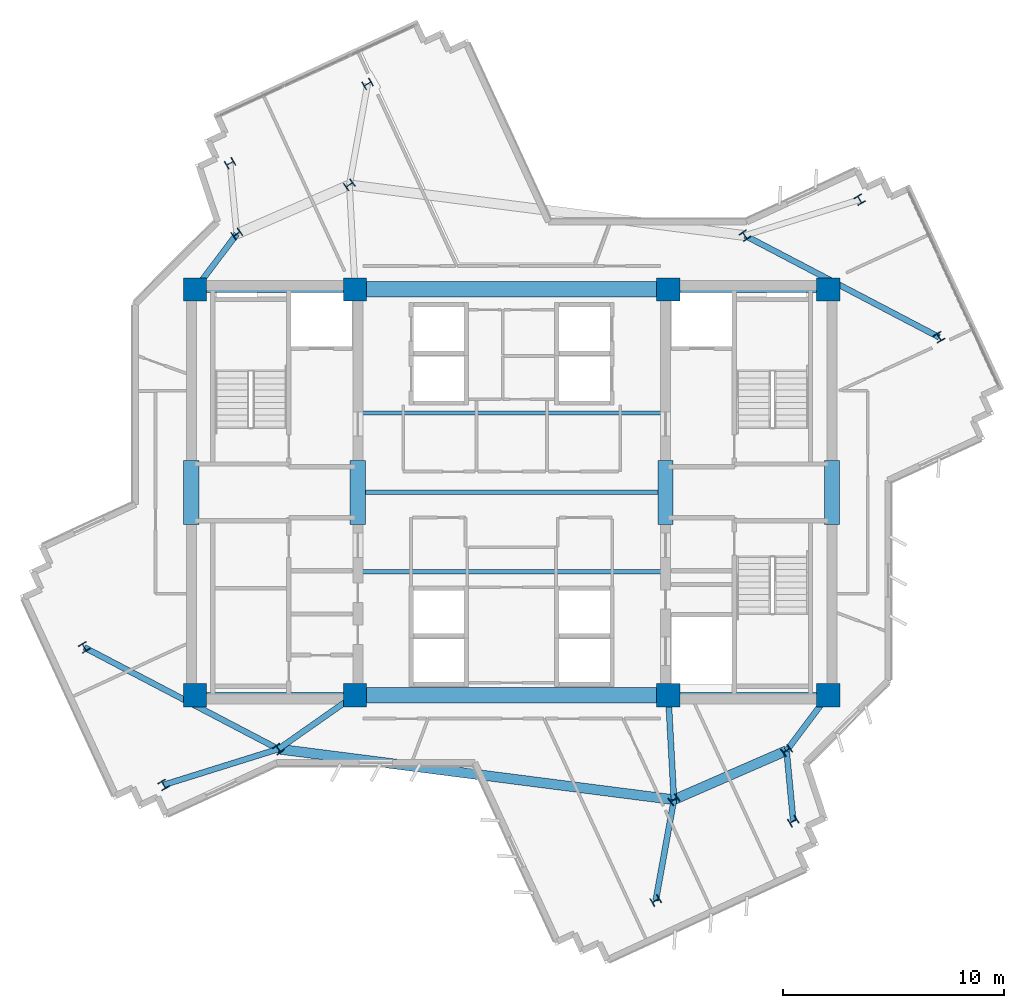
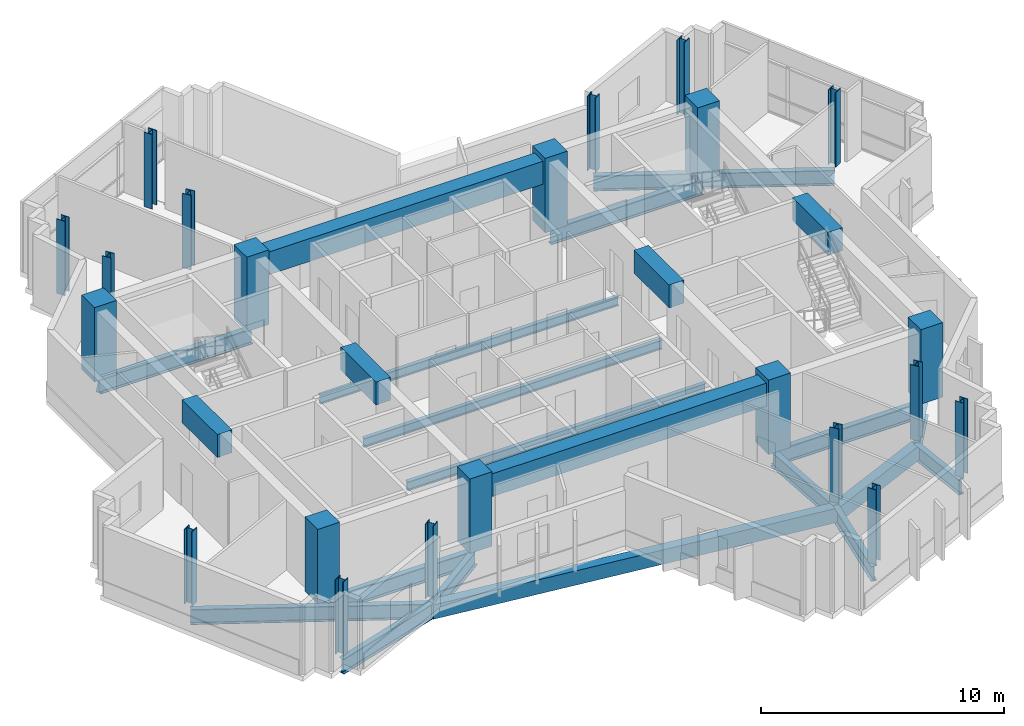
# One storey, part 1 of 12: 24 beams, 22 columns.
"""IFC4 building model written with IfcOpenShell, lengths in metres."""

from ifc_helpers import new_model, si_unit, direction, frame, origin, origin_2d, place, context, subcontext, project, spatial, rectangle, i_section, extrude, source, transform, mapped, material, material_profile, profile_set, type_object, element, save


model = new_model("IFC4")

# Units and contexts
model_context = context("Model", 3, precision=1e-05, world=origin(), true_north=direction((0.0, 1.0)))
body_context = subcontext(model_context, "Body", "Model", "MODEL_VIEW")
ifc_project = project(units=[si_unit("LENGTHUNIT", "METRE"), si_unit("AREAUNIT", "SQUARE_METRE"), si_unit("VOLUMEUNIT", "CUBIC_METRE"), si_unit("PLANEANGLEUNIT", "RADIAN"), si_unit("MASSUNIT", "GRAM", prefix="KILO")], contexts=[model_context])

# Site, building, storey
site_placement = place(None, origin())
site = spatial("IfcSite", under=ifc_project, at=site_placement, CompositionType="ELEMENT")
building_placement = place(site_placement, origin())
building = spatial("IfcBuilding", under=site, at=building_placement, Name="Zahravan Cultural Tower", CompositionType="ELEMENT")
storey_placement = place(building_placement, frame((0.0, 0.0, 239.10009765625)))
storey = spatial("IfcBuildingStorey", under=building, at=storey_placement, Name="L56", CompositionType="ELEMENT", Elevation=239.10009765625)

# Columns
ifc_material_1 = material(Name="Concrete C50/60", Category="concrete")
ifc_material_profile_1 = material_profile(ifc_material_1, rectangle(XDim=1.050048828125, YDim=1.050048828125, at=origin_2d()), Name="RC1050X1050")
ifc_profile_set_1 = profile_set([ifc_material_profile_1], Name="Concrete C50/60")
column_type_1 = type_object("IfcColumnType", Name="COL-RC1050", PredefinedType="COLUMN", material=ifc_profile_set_1)
shared_shape_1 = source(origin(), body_context, "Body", "SweptSolid", [
    extrude(rectangle(XDim=1.050048828125, YDim=1.050048828125, at=origin_2d()), origin(), (0.0, 0.0, 1.0), 3.75),
])
for number, where, z_axis, x_axis, name in (
    (1, (21.64990234375, 17.800048828125, 0.0), (0.0, 0.0, 1.0), (1.0, 0.0, 0.0), "L56 Column CC-W1"),
    (2, (28.89990234375, 17.800048828125, 0.0), (0.0, 0.0, 1.0), (1.0, 0.0, 0.0), "L56 Column CC-W2"),
    (3, (21.64990234375, 36.199951171875, 0.0), (0.0, 0.0, 1.0), (1.0, 0.0, 0.0), "L56 Column CC-W3"),
    (4, (28.89990234375, 36.199951171875, 0.0), (0.0, 0.0, 1.0), (1.0, 0.0, 0.0), "L56 Column CC-W4"),
    (5, (43.10009765625, 17.800048828125, 0.0), (0.0, 0.0, 1.0), (1.0, 0.0, 0.0), "L56 Column CC-E1"),
    (6, (50.35009765625, 17.800048828125, 0.0), (0.0, 0.0, 1.0), (1.0, 0.0, 0.0), "L56 Column CC-E2"),
    (7, (43.10009765625, 36.199951171875, 0.0), (0.0, 0.0, 1.0), (1.0, 0.0, 0.0), "L56 Column CC-E3"),
    (8, (50.35009765625, 36.199951171875, 0.0), (0.0, 0.0, 1.0), (1.0, 0.0, 0.0), "L56 Column CC-E4"),
):
    element("IfcColumn", number, at=place(storey_placement, frame(where, z_axis=z_axis, x_axis=x_axis)), inside=storey, type_object=column_type_1, Name=name, PredefinedType="COLUMN", context=body_context, shape_type="MappedRepresentation", body=[
        mapped(shared_shape_1, transform((0.0, 0.0, 0.0), x_axis=(1.0, 0.0, 0.0), y_axis=(0.0, 1.0, 0.0), z_axis=(0.0, 0.0, 1.0), scale=1.0)),
    ])
ifc_material_2 = material(Name="Steel ASTM A992 Grade 50", Category="steel")
ifc_material_profile_2 = material_profile(ifc_material_2, i_section(OverallWidth=0.39892578125, OverallDepth=0.385986328125, WebThickness=0.02099609375, FlangeThickness=0.033203125, FilletRadius=0.01806640625, at=origin_2d()), Name="W14X176")
ifc_profile_set_2 = profile_set([ifc_material_profile_2], Name="Steel ASTM A992 Grade 50")
column_type_2 = type_object("IfcColumnType", Name="COL-W14X176", PredefinedType="COLUMN", material=ifc_profile_set_2)
shared_shape_2 = source(origin(), body_context, "Body", "SweptSolid", [
    extrude(i_section(OverallWidth=0.39892578125, OverallDepth=0.385986328125, WebThickness=0.02099609375, FlangeThickness=0.033203125, FilletRadius=0.01806640625, at=origin_2d()), origin(), (0.0, 0.0, 1.0), 3.75),
])
for number, where, z_axis, x_axis, name in (
    (9, (46.577880859375, 38.640625, 0.0), (0.0, 0.0, 1.0), (0.809016994375, 0.587785252292, 0.0), "L56 Column Z3C-E2"),
    (10, (28.642578125, 40.937255859375, 0.0), (0.0, 0.0, 1.0), (-0.587785252292, 0.809016994375, 0.0), "L56 Column Z3C-N1"),
    (11, (23.536376953125, 38.710693359375, 0.0), (0.0, 0.0, 1.0), (-0.587785252292, 0.809016994375, 0.0), "L56 Column Z3C-N2"),
    (12, (25.422119140625, 15.359375, 0.0), (0.0, 0.0, 1.0), (0.809016994375, 0.587785252292, 0.0), "L56 Column Z3C-W2"),
    (13, (43.357421875, 13.062744140625, 0.0), (0.0, 0.0, 1.0), (-0.587785252292, 0.809016994375, 0.0), "L56 Column Z3C-S1"),
    (14, (48.463623046875, 15.289306640625, 0.0), (0.0, 0.0, 1.0), (-0.587785252292, 0.809016994375, 0.0), "L56 Column Z3C-S2"),
    (15, (55.38037109375, 34.0322265625, 0.0), (0.0, 0.0, 1.0), (0.866025403784, 0.5, 0.0), "L56 Column Z3T-E1"),
    (16, (51.7802734375, 40.267578125, 0.0), (0.0, 0.0, 1.0), (0.866025403784, 0.5, 0.0), "L56 Column Z3T-E2"),
    (17, (29.4677734375, 45.514404296875, 0.0), (0.0, 0.0, 1.0), (-0.5, 0.866025403784, 0.0), "L56 Column Z3T-N1"),
    (18, (23.232421875, 41.914306640625, 0.0), (0.0, 0.0, 1.0), (-0.5, 0.866025403784, 0.0), "L56 Column Z3T-N2"),
    (19, (16.61962890625, 19.9677734375, 0.0), (0.0, 0.0, 1.0), (0.866025403784, 0.5, 0.0), "L56 Column Z3T-W1"),
    (20, (20.2197265625, 13.732421875, 0.0), (0.0, 0.0, 1.0), (0.866025403784, 0.5, 0.0), "L56 Column Z3T-W2"),
    (21, (42.5322265625, 8.485595703125, 0.0), (0.0, 0.0, 1.0), (-0.5, 0.866025403784, 0.0), "L56 Column Z3T-S1"),
    (22, (48.767578125, 12.085693359375, 0.0), (0.0, 0.0, 1.0), (-0.5, 0.866025403784, 0.0), "L56 Column Z3T-S2"),
):
    element("IfcColumn", number, at=place(storey_placement, frame(where, z_axis=z_axis, x_axis=x_axis)), inside=storey, type_object=column_type_2, Name=name, PredefinedType="COLUMN", context=body_context, shape_type="MappedRepresentation", body=[
        mapped(shared_shape_2, transform((0.0, 0.0, 0.0), x_axis=(1.0, 0.0, 0.0), y_axis=(0.0, 1.0, 0.0), z_axis=(0.0, 0.0, 1.0), scale=1.0)),
    ])

# Beams
ifc_material_profile_3 = material_profile(ifc_material_1, rectangle(XDim=0.699951171875, YDim=1.14990234375, at=origin_2d()), Name="RC700X1150")
ifc_profile_set_3 = profile_set([ifc_material_profile_3], Name="Concrete C50/60")
beam_type_1 = type_object("IfcBeamType", Name="BM-LN-RC700X1150", PredefinedType="LINTEL", material=ifc_profile_set_3)
shared_shape_3 = source(origin(), body_context, "Body", "SweptSolid", [
    extrude(rectangle(XDim=0.699951171875, YDim=1.14990234375, at=origin_2d()), origin(), (0.0, 0.0, 1.0), 14.2001953125),
])
for number, where, z_axis, x_axis, name in (
    (23, (28.89990234375, 17.800048828125, 2.9248046875), (1.0, 0.0, 0.0), (0.0, 1.0, 0.0), "L56 Beam LN-L56-S"),
    (24, (28.89990234375, 36.199951171875, 2.9248046875), (1.0, 0.0, 0.0), (0.0, 1.0, 0.0), "L56 Beam LN-L56-N"),
):
    element("IfcBeam", number, at=place(storey_placement, frame(where, z_axis=z_axis, x_axis=x_axis)), inside=storey, type_object=beam_type_1, Name=name, PredefinedType="LINTEL", context=body_context, shape_type="MappedRepresentation", body=[
        mapped(shared_shape_3, transform((0.0, 0.0, 0.0), x_axis=(1.0, 0.0, 0.0), y_axis=(0.0, 1.0, 0.0), z_axis=(0.0, 0.0, 1.0), scale=1.0)),
    ])
shared_shape_4 = source(origin(), body_context, "Body", "SweptSolid", [
    extrude(rectangle(XDim=0.699951171875, YDim=1.14990234375, at=origin_2d()), origin(), (0.0, 0.0, 1.0), 2.89990234375),
])
for number, where, z_axis, x_axis, name in (
    (25, (21.47509765625, 25.550048828125, 2.9248046875), (0.0, 1.0, 0.0), (-1.0, 0.0, 0.0), "L56 Beam LN-L56-PWW"),
    (26, (29.02490234375, 25.550048828125, 2.9248046875), (0.0, 1.0, 0.0), (-1.0, 0.0, 0.0), "L56 Beam LN-L56-PWE"),
    (27, (42.97509765625, 25.550048828125, 2.9248046875), (0.0, 1.0, 0.0), (-1.0, 0.0, 0.0), "L56 Beam LN-L56-PEW"),
    (28, (50.52490234375, 25.550048828125, 2.9248046875), (0.0, 1.0, 0.0), (-1.0, 0.0, 0.0), "L56 Beam LN-L56-PEE"),
):
    element("IfcBeam", number, at=place(storey_placement, frame(where, z_axis=z_axis, x_axis=x_axis)), inside=storey, type_object=beam_type_1, Name=name, PredefinedType="LINTEL", context=body_context, shape_type="MappedRepresentation", body=[
        mapped(shared_shape_4, transform((0.0, 0.0, 0.0), x_axis=(1.0, 0.0, 0.0), y_axis=(0.0, 1.0, 0.0), z_axis=(0.0, 0.0, 1.0), scale=1.0)),
    ])
ifc_material_profile_4 = material_profile(ifc_material_2, i_section(OverallWidth=0.26611328125, OverallDepth=0.780029296875, WebThickness=0.0166015625, FlangeThickness=0.030029296875, FilletRadius=0.01904296875, at=origin_2d()), Name="W30X148")
ifc_profile_set_4 = profile_set([ifc_material_profile_4], Name="Steel ASTM A992 Grade 50")
beam_type_2 = type_object("IfcBeamType", Name="BM-G-W30X148", PredefinedType="BEAM", material=ifc_profile_set_4)
shared_shape_5 = source(origin(), body_context, "Body", "SweptSolid", [
    extrude(i_section(OverallWidth=0.26611328125, OverallDepth=0.780029296875, WebThickness=0.0166015625, FlangeThickness=0.030029296875, FilletRadius=0.01904296875, at=origin_2d()), origin(), (0.0, 0.0, 1.0), 7.25),
])
for number, where, z_axis, x_axis, name in (
    (29, (21.64990234375, 17.800048828125, -0.64013671875), (1.0, 0.0, 0.0), (0.0, 1.0, 0.0), "L56 Beam BG-L56-01"),
    (30, (21.64990234375, 36.199951171875, -0.64013671875), (1.0, 0.0, 0.0), (0.0, 1.0, 0.0), "L56 Beam BG-L56-02"),
    (31, (43.10009765625, 17.800048828125, -0.64013671875), (1.0, 0.0, 0.0), (0.0, 1.0, 0.0), "L56 Beam BG-L56-04"),
    (32, (43.10009765625, 36.199951171875, -0.64013671875), (1.0, 0.0, 0.0), (0.0, 1.0, 0.0), "L56 Beam BG-L56-05"),
):
    element("IfcBeam", number, at=place(storey_placement, frame(where, z_axis=z_axis, x_axis=x_axis)), inside=storey, type_object=beam_type_2, Name=name, PredefinedType="BEAM", context=body_context, shape_type="MappedRepresentation", body=[
        mapped(shared_shape_5, transform((0.0, 0.0, 0.0), x_axis=(1.0, 0.0, 0.0), y_axis=(0.0, 1.0, 0.0), z_axis=(0.0, 0.0, 1.0), scale=1.0)),
    ])
ifc_material_profile_5 = material_profile(ifc_material_2, i_section(OverallWidth=0.26708984375, OverallDepth=0.761962890625, WebThickness=0.014404296875, FlangeThickness=0.021484375, FilletRadius=0.01904296875, at=origin_2d()), Name="W30X116")
ifc_profile_set_5 = profile_set([ifc_material_profile_5], Name="Steel ASTM A992 Grade 50")
beam_type_3 = type_object("IfcBeamType", Name="BM-G-W30X116", PredefinedType="BEAM", material=ifc_profile_set_5)
shared_shape_6 = source(origin(), body_context, "Body", "SweptSolid", [
    extrude(i_section(OverallWidth=0.26708984375, OverallDepth=0.761962890625, WebThickness=0.014404296875, FlangeThickness=0.021484375, FilletRadius=0.01904296875, at=origin_2d()), origin(), (0.0, 0.0, 1.0), 4.248779296875),
])
beam_1_placement = place(storey_placement, frame((28.89990234375, 17.800048828125, -0.631103515625), z_axis=(-0.81854294596, -0.574445337365, 0.0), x_axis=(0.574445337365, -0.81854294596, 0.0)))
element("IfcBeam", 33, at=beam_1_placement, inside=storey, type_object=beam_type_3, Name="L56 Beam BG-L56-07", PredefinedType="BEAM", context=body_context, shape_type="MappedRepresentation", body=[
    mapped(shared_shape_6, transform((0.0, 0.0, 0.0), x_axis=(1.0, 0.0, 0.0), y_axis=(0.0, 1.0, 0.0), z_axis=(0.0, 0.0, 1.0), scale=1.0)),
])
shared_shape_7 = source(origin(), body_context, "Body", "SweptSolid", [
    extrude(i_section(OverallWidth=0.26708984375, OverallDepth=0.761962890625, WebThickness=0.014404296875, FlangeThickness=0.021484375, FilletRadius=0.01904296875, at=origin_2d()), origin(), (0.0, 0.0, 1.0), 4.744384765625),
])
beam_2_placement = place(storey_placement, frame((43.10009765625, 17.800048828125, -0.631103515625), z_axis=(0.054238739845, -0.998527996152, 0.0), x_axis=(0.998527996152, 0.054238739845, 0.0)))
element("IfcBeam", 34, at=beam_2_placement, inside=storey, type_object=beam_type_3, Name="L56 Beam BG-L56-08", PredefinedType="BEAM", context=body_context, shape_type="MappedRepresentation", body=[
    mapped(shared_shape_7, transform((0.0, 0.0, 0.0), x_axis=(1.0, 0.0, 0.0), y_axis=(0.0, 1.0, 0.0), z_axis=(0.0, 0.0, 1.0), scale=1.0)),
])
shared_shape_8 = source(origin(), body_context, "Body", "SweptSolid", [
    extrude(i_section(OverallWidth=0.26708984375, OverallDepth=0.761962890625, WebThickness=0.014404296875, FlangeThickness=0.021484375, FilletRadius=0.01904296875, at=origin_2d()), origin(), (0.0, 0.0, 1.0), 3.140380859375),
])
for number, where, z_axis, x_axis, name in (
    (35, (50.35009765625, 17.800048828125, -0.631103515625), (-0.600696322208, -0.799477284534, 0.0), (0.799477284534, -0.600696322208, 0.0), "L56 Beam BG-L56-09"),
    (36, (21.64990234375, 36.199951171875, -0.631103515625), (0.600696322208, 0.799477284534, 0.0), (-0.799477284534, 0.600696322208, 0.0), "L56 Beam BG-L56-11"),
):
    element("IfcBeam", number, at=place(storey_placement, frame(where, z_axis=z_axis, x_axis=x_axis)), inside=storey, type_object=beam_type_3, Name=name, PredefinedType="BEAM", context=body_context, shape_type="MappedRepresentation", body=[
        mapped(shared_shape_8, transform((0.0, 0.0, 0.0), x_axis=(1.0, 0.0, 0.0), y_axis=(0.0, 1.0, 0.0), z_axis=(0.0, 0.0, 1.0), scale=1.0)),
    ])
shared_shape_9 = source(origin(), body_context, "Body", "SweptSolid", [
    extrude(i_section(OverallWidth=0.26708984375, OverallDepth=0.761962890625, WebThickness=0.014404296875, FlangeThickness=0.021484375, FilletRadius=0.01904296875, at=origin_2d()), origin(), (0.0, 0.0, 1.0), 9.935791015625),
])
for number, where, z_axis, x_axis, name in (
    (37, (46.577880859375, 38.640625, -0.631103515625), (0.885932031042, -0.463815088558, 0.0), (0.463815088558, 0.885932031042, 0.0), "L56 Beam BG-L56-12"),
    (38, (25.422119140625, 15.359375, -0.631103515625), (-0.885932031042, 0.463815088558, 0.0), (-0.463815088558, -0.885932031042, 0.0), "L56 Beam BG-L56-16"),
):
    element("IfcBeam", number, at=place(storey_placement, frame(where, z_axis=z_axis, x_axis=x_axis)), inside=storey, type_object=beam_type_3, Name=name, PredefinedType="BEAM", context=body_context, shape_type="MappedRepresentation", body=[
        mapped(shared_shape_9, transform((0.0, 0.0, 0.0), x_axis=(1.0, 0.0, 0.0), y_axis=(0.0, 1.0, 0.0), z_axis=(0.0, 0.0, 1.0), scale=1.0)),
    ])
shared_shape_10 = source(origin(), body_context, "Body", "SweptSolid", [
    extrude(i_section(OverallWidth=0.26708984375, OverallDepth=0.761962890625, WebThickness=0.014404296875, FlangeThickness=0.021484375, FilletRadius=0.01904296875, at=origin_2d()), origin(), (0.0, 0.0, 1.0), 5.450927734375),
])
beam_3_placement = place(storey_placement, frame((25.422119140625, 15.359375, -0.631103515625), z_axis=(-0.954416996605, -0.298476459025, 0.0), x_axis=(0.298476459025, -0.954416996605, 0.0)))
element("IfcBeam", 39, at=beam_3_placement, inside=storey, type_object=beam_type_3, Name="L56 Beam BG-L56-17", PredefinedType="BEAM", context=body_context, shape_type="MappedRepresentation", body=[
    mapped(shared_shape_10, transform((0.0, 0.0, 0.0), x_axis=(1.0, 0.0, 0.0), y_axis=(0.0, 1.0, 0.0), z_axis=(0.0, 0.0, 1.0), scale=1.0)),
])
shared_shape_11 = source(origin(), body_context, "Body", "SweptSolid", [
    extrude(i_section(OverallWidth=0.26708984375, OverallDepth=0.761962890625, WebThickness=0.014404296875, FlangeThickness=0.021484375, FilletRadius=0.01904296875, at=origin_2d()), origin(), (0.0, 0.0, 1.0), 4.65087890625),
])
beam_4_placement = place(storey_placement, frame((43.357421875, 13.062744140625, -0.631103515625), z_axis=(-0.177425522697, -0.984134230629, 0.0), x_axis=(0.984134230629, -0.177425522697, 0.0)))
element("IfcBeam", 40, at=beam_4_placement, inside=storey, type_object=beam_type_3, Name="L56 Beam BG-L56-18", PredefinedType="BEAM", context=body_context, shape_type="MappedRepresentation", body=[
    mapped(shared_shape_11, transform((0.0, 0.0, 0.0), x_axis=(1.0, 0.0, 0.0), y_axis=(0.0, 1.0, 0.0), z_axis=(0.0, 0.0, 1.0), scale=1.0)),
])
shared_shape_12 = source(origin(), body_context, "Body", "SweptSolid", [
    extrude(i_section(OverallWidth=0.26708984375, OverallDepth=0.761962890625, WebThickness=0.014404296875, FlangeThickness=0.021484375, FilletRadius=0.01904296875, at=origin_2d()), origin(), (0.0, 0.0, 1.0), 3.218017578125),
])
beam_5_placement = place(storey_placement, frame((48.463623046875, 15.289306640625, -0.631103515625), z_axis=(0.094454641962, -0.995529166128, 0.0), x_axis=(0.995529166128, 0.094454641962, 0.0)))
element("IfcBeam", 41, at=beam_5_placement, inside=storey, type_object=beam_type_3, Name="L56 Beam BG-L56-19", PredefinedType="BEAM", context=body_context, shape_type="MappedRepresentation", body=[
    mapped(shared_shape_12, transform((0.0, 0.0, 0.0), x_axis=(1.0, 0.0, 0.0), y_axis=(0.0, 1.0, 0.0), z_axis=(0.0, 0.0, 1.0), scale=1.0)),
])
ifc_material_3 = material(Name="Concrete C45/55", Category="concrete")
ifc_material_profile_6 = material_profile(ifc_material_3, rectangle(XDim=0.449951171875, YDim=0.719970703125, at=origin_2d()), Name="RC450X720")
ifc_profile_set_6 = profile_set([ifc_material_profile_6], Name="Concrete C45/55")
beam_type_4 = type_object("IfcBeamType", Name="BM-SP-RC450X720", PredefinedType="SPANDREL", material=ifc_profile_set_6)
shared_shape_13 = source(origin(), body_context, "Body", "SweptSolid", [
    extrude(rectangle(XDim=0.449951171875, YDim=0.719970703125, at=origin_2d()), origin(), (0.0, 0.0, 1.0), 18.081787109375),
])
beam_6_placement = place(storey_placement, frame((25.422119140625, 15.359375, -0.610107421875), z_axis=(0.991900954377, -0.127013765812, 0.0), x_axis=(0.127013765812, 0.991900954377, 0.0)))
element("IfcBeam", 42, at=beam_6_placement, inside=storey, type_object=beam_type_4, Name="L56 Beam SP-L56-20", PredefinedType="SPANDREL", context=body_context, shape_type="MappedRepresentation", body=[
    mapped(shared_shape_13, transform((0.0, 0.0, 0.0), x_axis=(1.0, 0.0, 0.0), y_axis=(0.0, 1.0, 0.0), z_axis=(0.0, 0.0, 1.0), scale=1.0)),
])
shared_shape_14 = source(origin(), body_context, "Body", "SweptSolid", [
    extrude(rectangle(XDim=0.449951171875, YDim=0.719970703125, at=origin_2d()), origin(), (0.0, 0.0, 1.0), 5.570556640625),
])
beam_7_placement = place(storey_placement, frame((43.357421875, 13.062744140625, -0.610107421875), z_axis=(0.9166445026, 0.399703459896, 0.0), x_axis=(-0.399703459896, 0.9166445026, 0.0)))
element("IfcBeam", 43, at=beam_7_placement, inside=storey, type_object=beam_type_4, Name="L56 Beam SP-L56-21", PredefinedType="SPANDREL", context=body_context, shape_type="MappedRepresentation", body=[
    mapped(shared_shape_14, transform((0.0, 0.0, 0.0), x_axis=(1.0, 0.0, 0.0), y_axis=(0.0, 1.0, 0.0), z_axis=(0.0, 0.0, 1.0), scale=1.0)),
])
ifc_material_profile_7 = material_profile(ifc_material_2, i_section(OverallWidth=0.18994140625, OverallDepth=0.45703125, WebThickness=0.009033203125, FlangeThickness=0.014404296875, FilletRadius=0.012939453125, at=origin_2d()), Name="W18X50")
ifc_profile_set_7 = profile_set([ifc_material_profile_7], Name="Steel ASTM A992 Grade 50")
beam_type_5 = type_object("IfcBeamType", Name="BM-J-W18X50", PredefinedType="JOIST", material=ifc_profile_set_7)
shared_shape_15 = source(origin(), body_context, "Body", "SweptSolid", [
    extrude(i_section(OverallWidth=0.18994140625, OverallDepth=0.45703125, WebThickness=0.009033203125, FlangeThickness=0.014404296875, FilletRadius=0.012939453125, at=origin_2d()), origin(), (0.0, 0.0, 1.0), 14.2001953125),
])
for number, where, z_axis, x_axis, name in (
    (44, (28.89990234375, 23.39990234375, -0.478515625), (1.0, 0.0, 0.0), (0.0, 1.0, 0.0), "L56 Beam BJ-L56-24"),
    (45, (28.89990234375, 27.0, -0.478515625), (1.0, 0.0, 0.0), (0.0, 1.0, 0.0), "L56 Beam BJ-L56-25"),
    (46, (28.89990234375, 30.60009765625, -0.478515625), (1.0, 0.0, 0.0), (0.0, 1.0, 0.0), "L56 Beam BJ-L56-26"),
):
    element("IfcBeam", number, at=place(storey_placement, frame(where, z_axis=z_axis, x_axis=x_axis)), inside=storey, type_object=beam_type_5, Name=name, PredefinedType="JOIST", context=body_context, shape_type="MappedRepresentation", body=[
        mapped(shared_shape_15, transform((0.0, 0.0, 0.0), x_axis=(1.0, 0.0, 0.0), y_axis=(0.0, 1.0, 0.0), z_axis=(0.0, 0.0, 1.0), scale=1.0)),
    ])

save(model, "model.ifc")
